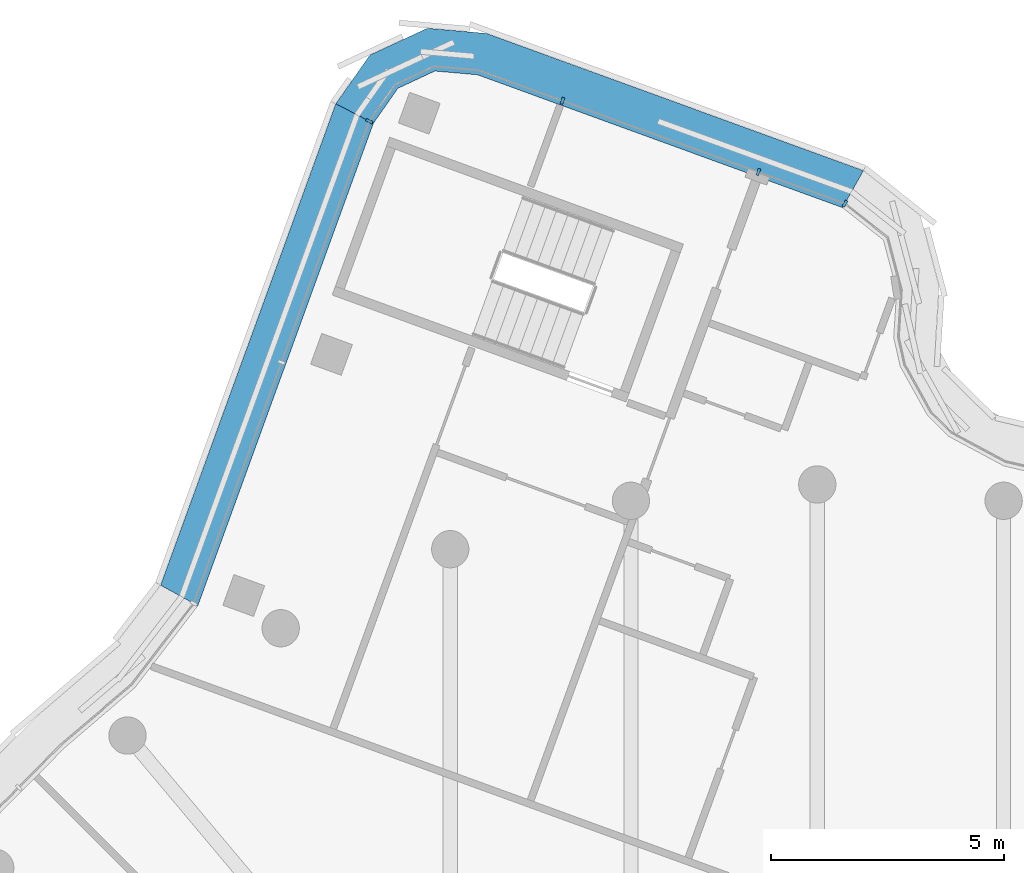
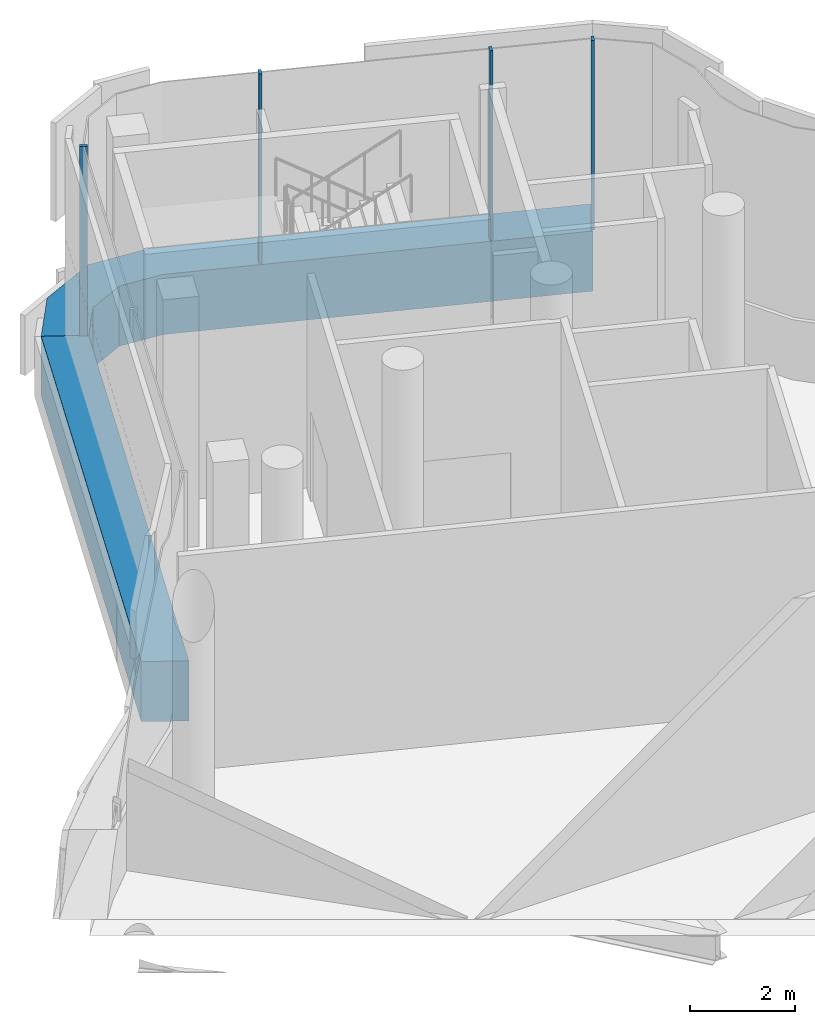
# One storey, part 8 of 18: 6 members, 2 elements without a shape of their own.
"""IFC4 building model written with IfcOpenShell, lengths in metres."""

import ifcopenshell
import ifcopenshell.guid

model = None  # the IFC model being written
_history = None  # IfcOwnerHistory: only IFC2X3 demands one
_inside = {}  # id of a spatial element -> (the spatial element, [elements in it])
_under = {}  # id of a project, library or spatial element -> (it, [spatial elements below it])
_declared = {}  # id of a project -> (the project, [libraries it declares])
_typed = {}  # id of a type object -> (the type object, [elements of that type])
_made_of = {}  # id of a material, layer set ... -> (it, [elements and type objects made of it])


def new_model(schema):
    """Start an empty IFC model of exactly this schema.

    Asked for "IFC4X3", IfcOpenShell would pick the latest addendum, in which some entities
    have other attributes; the version numbers below select the first issue.
    IFC2X3 requires an IfcOwnerHistory on every rooted entity: one is made here for all.
    """
    global model, _history
    if schema == "IFC4X3":
        model = ifcopenshell.file(schema_version=(4, 3, 0, 0))
    else:
        model = ifcopenshell.file(schema=schema)
    _inside.clear()
    _under.clear()
    _declared.clear()
    _typed.clear()
    _made_of.clear()
    _history = None
    if model.schema == "IFC2X3":
        org = make("IfcOrganization", Name="unknown")
        user = make(
            "IfcPersonAndOrganization",
            ThePerson=make("IfcPerson", FamilyName="unknown"),
            TheOrganization=org,
        )
        app = make(
            "IfcApplication",
            ApplicationDeveloper=org,
            Version="unknown",
            ApplicationFullName="unknown",
            ApplicationIdentifier="unknown",
        )
        _history = make(
            "IfcOwnerHistory",
            OwningUser=user,
            OwningApplication=app,
            ChangeAction="ADDED",
            CreationDate=0,
        )
    return model


def make(cls, **values):
    """One entity of the class cls with the attributes given. An attribute that is None is left unset."""
    return model.create_entity(
        cls, **{name: value for name, value in values.items() if value is not None}
    )


def rooted(cls, **values):
    """An entity with a GlobalId (a new one), such as an element, a storey or a relation."""
    return make(cls, GlobalId=ifcopenshell.guid.new(), OwnerHistory=_history, **values)


def si_unit(unit_type, name, prefix=None):
    """IfcSIUnit, for example si_unit("LENGTHUNIT", "METRE", prefix="MILLI")."""
    return make("IfcSIUnit", UnitType=unit_type, Prefix=prefix, Name=name)


def assignment(units):
    """IfcUnitAssignment: the units of a project."""
    return None if units is None else make("IfcUnitAssignment", Units=units)


def point(xyz):
    """IfcCartesianPoint."""
    return None if xyz is None else make("IfcCartesianPoint", Coordinates=xyz)


def direction(xyz):
    """IfcDirection."""
    return None if xyz is None else make("IfcDirection", DirectionRatios=xyz)


def frame(location, z_axis=None, x_axis=None):
    """IfcAxis2Placement3D, a coordinate frame: its origin and axes. An axis left out is left unset."""
    return make(
        "IfcAxis2Placement3D",
        Location=point(location),
        Axis=direction(z_axis),
        RefDirection=direction(x_axis),
    )


def frame_2d(location, x_axis=None):
    """IfcAxis2Placement2D, a coordinate frame in the plane: its origin and x axis."""
    return make(
        "IfcAxis2Placement2D", Location=point(location), RefDirection=direction(x_axis)
    )


def origin():
    """The frame at (0, 0, 0) with its axes left unset."""
    return frame((0.0, 0.0, 0.0))


def origin_2d():
    """The frame at (0, 0) in the plane with its x axis left unset."""
    return frame_2d((0.0, 0.0))


def place(relative_to, where):
    """IfcLocalPlacement: puts the frame where relative to a parent placement (None: the world)."""
    return make(
        "IfcLocalPlacement", PlacementRelTo=relative_to, RelativePlacement=where
    )


def context(
    kind, dimensions, precision=None, world=None, true_north=None, identifier=None
):
    """IfcGeometricRepresentationContext, for example the 3D "Model" context."""
    return make(
        "IfcGeometricRepresentationContext",
        ContextIdentifier=identifier,
        ContextType=kind,
        CoordinateSpaceDimension=dimensions,
        Precision=precision,
        WorldCoordinateSystem=world,
        TrueNorth=true_north,
    )


def subcontext(parent, identifier, kind, view, scale=None):
    """IfcGeometricRepresentationSubContext, for example "Body" below "Model"."""
    return make(
        "IfcGeometricRepresentationSubContext",
        ContextIdentifier=identifier,
        ContextType=kind,
        ParentContext=parent,
        TargetScale=scale,
        TargetView=view,
    )


def project(units=None, contexts=None):
    """IfcProject with its units and contexts."""
    return rooted(
        "IfcProject",
        Name="project",
        RepresentationContexts=contexts,
        UnitsInContext=assignment(units),
    )


def spatial(cls, under=None, at=None, **own):
    """A site, building, storey or space (cls), placed at a placement, below another one or the project."""
    s = rooted(cls, ObjectPlacement=at, **own)
    if under is not None:
        _under.setdefault(under.id(), (under, []))[1].append(s)
    return s


def polyline(points):
    """IfcPolyline through the points."""
    return make("IfcPolyline", Points=[point(p) for p in points])


def profile(cls, at=None, kind="AREA", **sizes):
    """A parametric profile (cls). Its sizes go by their IFC names, for example OverallWidth=200.0."""
    return make(cls, ProfileType=kind, Position=at, **sizes)


def rectangle(**sizes):
    """IfcRectangleProfileDef."""
    return profile("IfcRectangleProfileDef", **sizes)


def outline(outer, holes=None, kind="AREA"):
    """IfcArbitraryClosedProfileDef: a profile drawn as a closed curve; with holes, ...WithVoids."""
    if holes is None:
        return make("IfcArbitraryClosedProfileDef", ProfileType=kind, OuterCurve=outer)
    return make(
        "IfcArbitraryProfileDefWithVoids",
        ProfileType=kind,
        OuterCurve=outer,
        InnerCurves=holes,
    )


def extrude(swept, where, along, depth):
    """IfcExtrudedAreaSolid: the profile swept, set in the frame where, extruded along a direction by depth."""
    return make(
        "IfcExtrudedAreaSolid",
        SweptArea=swept,
        Position=where,
        ExtrudedDirection=direction(along),
        Depth=depth,
    )


def shape(context_of_items, identifier, shape_type, items):
    """IfcShapeRepresentation: the items that make up one representation, for example the "Body"."""
    return make(
        "IfcShapeRepresentation",
        ContextOfItems=context_of_items,
        RepresentationIdentifier=identifier,
        RepresentationType=shape_type,
        Items=items,
    )


def material(Name=None, Category=None):
    """IfcMaterial."""
    return make("IfcMaterial", Name=Name, Category=Category)


def layer(
    of_material, thickness, ventilated=None, Name=None, Category=None, Priority=None
):
    """IfcMaterialLayer: one layer of a wall or slab, of a material (None: an air gap)."""
    return make(
        "IfcMaterialLayer",
        Material=of_material,
        LayerThickness=thickness,
        IsVentilated=ventilated,
        Name=Name,
        Category=Category,
        Priority=Priority,
    )


def layer_set(layers, Name=None):
    """IfcMaterialLayerSet."""
    return make("IfcMaterialLayerSet", MaterialLayers=layers, LayerSetName=Name)


def material_profile(
    of_material, cross_section, Name=None, Category=None, Priority=None
):
    """IfcMaterialProfile: a cross section and its material."""
    return make(
        "IfcMaterialProfile",
        Name=Name,
        Material=of_material,
        Profile=cross_section,
        Priority=Priority,
        Category=Category,
    )


def profile_set(profiles, Name=None, composite=None):
    """IfcMaterialProfileSet."""
    return make(
        "IfcMaterialProfileSet",
        Name=Name,
        MaterialProfiles=profiles,
        CompositeProfile=composite,
    )


def made_of(thing, what):
    """Note that an element or type object is made of a material, layer set ...; save() writes the relation."""
    if what is not None:
        _made_of.setdefault(what.id(), (what, []))[1].append(thing)
    return thing


def type_object(cls, material=None, **own):
    """A type object (cls), such as IfcWallType, which elements share."""
    return made_of(rooted(cls, **own), material)


def element(
    cls,
    number,
    at=None,
    inside=None,
    cuts=None,
    type_object=None,
    material=None,
    context=None,
    identifier="Body",
    shape_type=None,
    held_by="IfcProductDefinitionShape",
    body=None,
    shapes=None,
    **own,
):
    """One element of the class cls, such as IfcWall. Its Tag is "e" and its number.

    at: its placement. inside: the storey or other place that contains it. cuts: it is an
    opening in that element (IfcRelVoidsElement). A single representation is given by context,
    identifier, shape_type and body (its items); several are given by shapes. held_by: the class
    of the entity that holds the representations. save() writes the other relations.
    """
    e = rooted(cls, Tag="e%d" % number, ObjectPlacement=at, **own)
    if body is not None:
        shapes = [shape(context, identifier, shape_type, body)]
    if shapes is not None:
        e.Representation = make(held_by, Representations=shapes)
    if inside is not None:
        _inside.setdefault(inside.id(), (inside, []))[1].append(e)
    if cuts is not None:
        rooted(
            "IfcRelVoidsElement", RelatingBuildingElement=cuts, RelatedOpeningElement=e
        )
    if type_object is not None:
        _typed.setdefault(type_object.id(), (type_object, []))[1].append(e)
    return made_of(e, material)


def aggregate(whole, parts):
    """IfcRelAggregates: a whole, such as a stair, and the parts it consists of."""
    return rooted("IfcRelAggregates", RelatingObject=whole, RelatedObjects=parts)


def save(model, path):
    """Write the relations noted so far, then the file.

    IfcRelAggregates (storeys below a building ...), IfcRelContainedInSpatialStructure (elements
    in a storey), IfcRelDefinesByType, IfcRelAssociatesMaterial and IfcRelDeclares: one each for
    every whole, place, type object, material and project.
    """
    for whole, parts in _under.values():
        aggregate(whole, parts)
    for where, things in _inside.values():
        rooted(
            "IfcRelContainedInSpatialStructure",
            RelatedElements=things,
            RelatingStructure=where,
        )
    for kind, things in _typed.values():
        rooted("IfcRelDefinesByType", RelatedObjects=things, RelatingType=kind)
    for what, things in _made_of.values():
        rooted("IfcRelAssociatesMaterial", RelatedObjects=things, RelatingMaterial=what)
    for by, libraries in _declared.values():
        rooted("IfcRelDeclares", RelatingContext=by, RelatedDefinitions=libraries)
    model.write(path)


model = new_model("IFC4")

# Units and contexts
model_context = context("Model", 3, precision=1e-05, world=origin(), true_north=direction((0.0, 1.0)))
body_context = subcontext(model_context, "Body", "Model", "MODEL_VIEW")
ifc_project = project(units=[si_unit("LENGTHUNIT", "METRE"), si_unit("AREAUNIT", "SQUARE_METRE"), si_unit("VOLUMEUNIT", "CUBIC_METRE"), si_unit("PLANEANGLEUNIT", "RADIAN"), si_unit("MASSUNIT", "GRAM", prefix="KILO")], contexts=[model_context])

# Site, building, storey
site_placement = place(None, origin())
site = spatial("IfcSite", under=ifc_project, at=site_placement, CompositionType="ELEMENT")
building_placement = place(site_placement, origin())
building = spatial("IfcBuilding", under=site, at=building_placement, Name="Tamarind Cross Interchange Tower", CompositionType="ELEMENT")
storey_placement = place(building_placement, frame((0.0, 0.0, 299.39990234375)))
storey = spatial("IfcBuildingStorey", under=building, at=storey_placement, Name="L74", CompositionType="ELEMENT", Elevation=299.39990234375)

# Curtain wall, member
ifc_material_1 = material(Name="Aluminium 6063-T6", Category="aluminium")
ifc_layer = layer(ifc_material_1, 0.14990234375)
ifc_layer_set = layer_set([ifc_layer], Name="Aluminium 6063-T6")
curtain_wall_type = type_object("IfcCurtainWallType", Name="Winter garden and crown curtain wall", PredefinedType="NOTDEFINED", material=ifc_layer_set)
curtain_wall_1_placement = place(storey_placement, origin())
curtain_wall_1 = element("IfcCurtainWall", 1, at=curtain_wall_1_placement, inside=storey, type_object=curtain_wall_type, Name="CWS-L74-00", PredefinedType="NOTDEFINED")
ifc_material_2 = material(Name="Aluminium and insulated spandrel panel", Category="aluminium")
member_type_1 = type_object("IfcMemberType", Name="Floor-edge blade transom", PredefinedType="USERDEFINED", material=ifc_material_2)
member_1_placement = place(storey_placement, origin())
member_1 = element("IfcMember", 2, at=member_1_placement, type_object=member_type_1, Name="CWT-L74-00", ObjectType="TRANSOM", PredefinedType="USERDEFINED", context=body_context, shape_type="SweptSolid", body=[
    extrude(outline(polyline([(0.54443359375, 28.931884765625), (-7.283935546875, 31.78076171875), (-8.19580078125, 31.860595703125), (-8.98828125, 31.490966796875), (-9.513427734375, 30.740966796875), (-10.318603515625, 31.16015625), (-9.587158203125, 32.20458984375), (-8.357666015625, 32.778076171875), (-7.08740234375, 32.6669921875), (0.9892578125, 29.7275390625), (0.54443359375, 28.931884765625)])), origin(), (0.0, 0.0, 1.0), 1.400146484375),
])

curtain_wall_2_placement = place(storey_placement, origin())
curtain_wall_2 = element("IfcCurtainWall", 3, at=curtain_wall_2_placement, inside=storey, type_object=curtain_wall_type, Name="CWS-L74-01", PredefinedType="NOTDEFINED")
member_2_placement = place(storey_placement, origin())
member_2 = element("IfcMember", 4, at=member_2_placement, type_object=member_type_1, Name="CWT-L74-01", ObjectType="TRANSOM", PredefinedType="USERDEFINED", context=body_context, shape_type="SweptSolid", body=[
    extrude(outline(polyline([(-9.513427734375, 30.740966796875), (-13.2763671875, 20.4013671875), (-14.07470703125, 20.839599609375), (-10.318603515625, 31.16015625), (-9.513427734375, 30.740966796875)])), origin(), (0.0, 0.0, 1.0), 1.400146484375),
])

# Member
ifc_material_profile = material_profile(ifc_material_1, rectangle(XDim=0.06005859375, YDim=0.14990234375, at=origin_2d()), Name="Mullion CW6")
ifc_profile_set = profile_set([ifc_material_profile], Name="Aluminium 6063-T6")
member_type_2 = type_object("IfcMemberType", Name="Mullion CW6", PredefinedType="MULLION", material=ifc_profile_set)
member_3_placement = place(storey_placement, frame((0.59375, 29.020263671875, 1.400146484375), z_axis=(0.0, 0.0, 1.0), x_axis=(-0.872892468208, 0.487912634543, 0.0)))
member_3 = element("IfcMember", 5, at=member_3_placement, type_object=member_type_2, Name="CWM-L74-00-00", PredefinedType="MULLION", context=body_context, shape_type="SweptSolid", body=[
    extrude(rectangle(XDim=0.06005859375, YDim=0.14990234375, at=origin_2d()), origin(), (0.0, 0.0, 1.0), 4.419921875),
])

member_4_placement = place(storey_placement, frame((-1.2626953125, 29.69580078125, 1.400146484375), z_axis=(0.0, 0.0, 1.0), x_axis=(-0.939702171424, 0.341993902024, 0.0)))
member_4 = element("IfcMember", 6, at=member_4_placement, type_object=member_type_2, Name="CWM-L74-00-01", PredefinedType="MULLION", context=body_context, shape_type="SweptSolid", body=[
    extrude(rectangle(XDim=0.06005859375, YDim=0.14990234375, at=origin_2d()), origin(), (0.0, 0.0, 1.0), 4.419921875),
])

member_5_placement = place(storey_placement, frame((-5.4619140625, 31.22412109375, 1.400146484375), z_axis=(0.0, 0.0, 1.0), x_axis=(-0.939702171424, 0.341993902024, 0.0)))
member_5 = element("IfcMember", 7, at=member_5_placement, type_object=member_type_2, Name="CWM-L74-00-02", PredefinedType="MULLION", context=body_context, shape_type="SweptSolid", body=[
    extrude(rectangle(XDim=0.06005859375, YDim=0.14990234375, at=origin_2d()), origin(), (0.0, 0.0, 1.0), 4.419921875),
])

aggregate(curtain_wall_1, [member_3, member_4, member_5, member_1])

member_6_placement = place(storey_placement, frame((-9.602783203125, 30.78759765625, 1.400146484375), z_axis=(0.0, 0.0, 1.0), x_axis=(-0.46172384304, -0.887023727286, 0.0)))
member_6 = element("IfcMember", 8, at=member_6_placement, type_object=member_type_2, Name="CWM-L74-01-00", PredefinedType="MULLION", context=body_context, shape_type="SweptSolid", body=[
    extrude(rectangle(XDim=0.06005859375, YDim=0.14990234375, at=origin_2d()), origin(), (0.0, 0.0, 1.0), 4.419921875),
])

aggregate(curtain_wall_2, [member_6, member_2])

save(model, "model.ifc")
